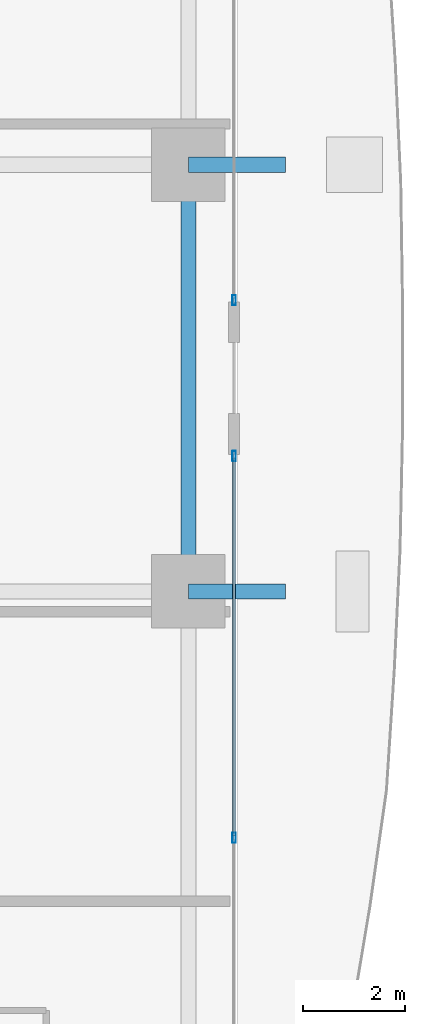
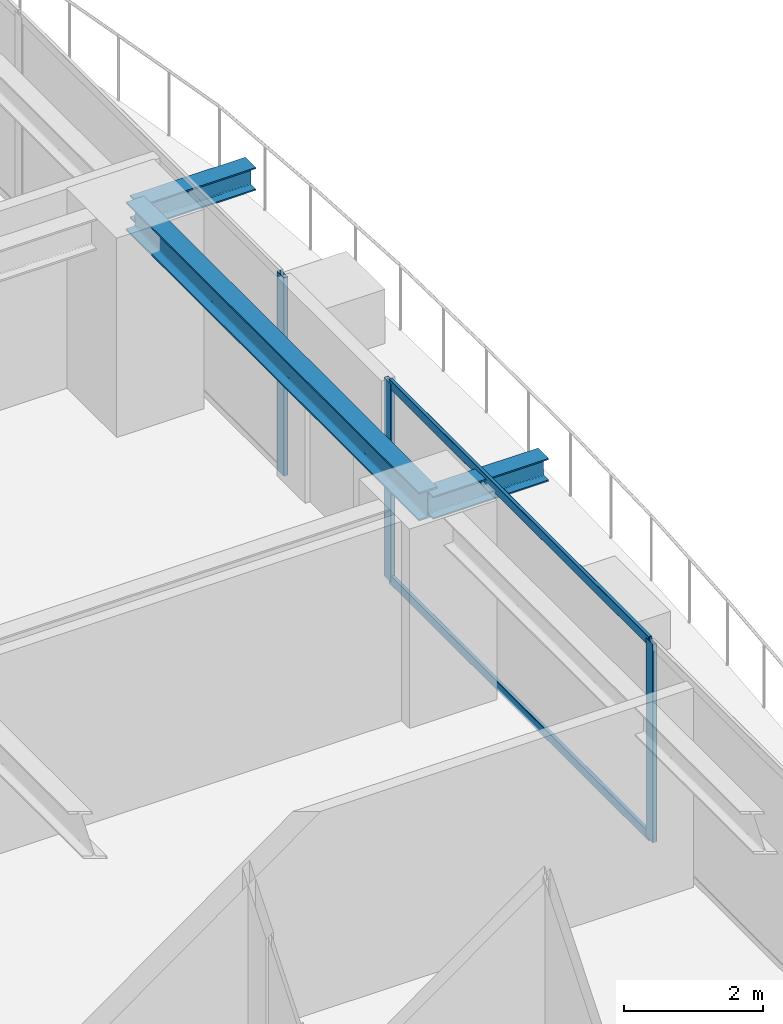
# One storey, part 14 of 38: 5 members, 3 beams, 2 elements without a shape of their own.
"""IFC4 building model written with IfcOpenShell, lengths in metres."""

from ifc_helpers import new_model, si_unit, direction, frame, origin, origin_2d, place, context, subcontext, project, spatial, hollow_rectangle, i_section, extrude, source, transform, mapped, material, layer, layer_set, material_profile, profile_set, type_object, element, aggregate, save


model = new_model("IFC4")

# Units and contexts
model_context = context("Model", 3, precision=1e-05, world=origin(), true_north=direction((0.0, 1.0)))
body_context = subcontext(model_context, "Body", "Model", "MODEL_VIEW")
ifc_project = project(units=[si_unit("LENGTHUNIT", "METRE"), si_unit("AREAUNIT", "SQUARE_METRE"), si_unit("VOLUMEUNIT", "CUBIC_METRE"), si_unit("PLANEANGLEUNIT", "RADIAN"), si_unit("MASSUNIT", "GRAM", prefix="KILO")], contexts=[model_context])

# Site, building, storey
site_placement = place(None, origin())
site = spatial("IfcSite", under=ifc_project, at=site_placement, CompositionType="ELEMENT")
building_placement = place(site_placement, origin())
building = spatial("IfcBuilding", under=site, at=building_placement, Name="Serunith Strait Residences", CompositionType="ELEMENT")
storey_placement = place(building_placement, frame((0.0, 0.0, 82.949951171875)))
storey = spatial("IfcBuildingStorey", under=building, at=storey_placement, Name="L20", CompositionType="ELEMENT", Elevation=82.949951171875)

# Beams
ifc_material_1 = material(Name="Steel S355J2", Category="steel")
ifc_material_profile_1 = material_profile(ifc_material_1, i_section(OverallWidth=0.300048828125, OverallDepth=0.5, WebThickness=0.014404296875, FlangeThickness=0.028076171875, FilletRadius=0.027099609375, at=origin_2d()), Name="HEB 500")
ifc_profile_set_1 = profile_set([ifc_material_profile_1], Name="Steel S355J2")
beam_type_1 = type_object("IfcBeamType", Name="BM-HEB500", PredefinedType="BEAM", material=ifc_profile_set_1)
shared_shape_1 = source(origin(), body_context, "Body", "SweptSolid", [
    extrude(i_section(OverallWidth=0.300048828125, OverallDepth=0.5, WebThickness=0.014404296875, FlangeThickness=0.028076171875, FilletRadius=0.027099609375, at=origin_2d()), origin(), (0.0, 0.0, 1.0), 8.39990234375),
])
beam_placement = place(storey_placement, frame((57.89990234375, 21.0, 3.237060546875), z_axis=(0.0, 1.0, 0.0), x_axis=(-1.0, 0.0, 0.0)))
element("IfcBeam", 1, at=beam_placement, inside=storey, type_object=beam_type_1, Name="L20 Perimeter Ring Beam 06", PredefinedType="BEAM", context=body_context, shape_type="MappedRepresentation", body=[
    mapped(shared_shape_1, transform((0.0, 0.0, 0.0), scale=1.0)),
])
ifc_material_profile_2 = material_profile(ifc_material_1, i_section(OverallWidth=0.300048828125, OverallDepth=0.39990234375, WebThickness=0.013427734375, FlangeThickness=0.02392578125, FilletRadius=0.027099609375, at=origin_2d()), Name="HEB 400")
ifc_profile_set_2 = profile_set([ifc_material_profile_2], Name="Steel S355J2")
beam_type_2 = type_object("IfcBeamType", Name="BM-HEB400", PredefinedType="BEAM", material=ifc_profile_set_2)
shared_shape_2 = source(origin(), body_context, "Body", "SweptSolid", [
    extrude(i_section(OverallWidth=0.300048828125, OverallDepth=0.39990234375, WebThickness=0.013427734375, FlangeThickness=0.02392578125, FilletRadius=0.027099609375, at=origin_2d()), origin(), (0.0, 0.0, 1.0), 1.91015625),
])
for number, where, z_axis, x_axis, name in (
    (2, (57.89990234375, 21.0, 3.257080078125), (1.0, 0.0, 0.0), (0.0, 1.0, 0.0), "L21 Cantilevered Balcony Rib TC-E2"),
    (3, (57.89990234375, 29.39990234375, 3.257080078125), (1.0, 0.0, 0.0), (0.0, 1.0, 0.0), "L21 Cantilevered Balcony Rib TC-E3"),
):
    element("IfcBeam", number, at=place(storey_placement, frame(where, z_axis=z_axis, x_axis=x_axis)), inside=storey, type_object=beam_type_2, Name=name, PredefinedType="BEAM", context=body_context, shape_type="MappedRepresentation", body=[
        mapped(shared_shape_2, transform((0.0, 0.0, 0.0), scale=1.0)),
    ])

# Curtain wall, members
ifc_material_2 = material(Name="Pale-Champagne Anodised Aluminium", Category="aluminium")
ifc_layer = layer(ifc_material_2, 0.199951171875, Name="Pale-Champagne Anodised Aluminium")
ifc_layer_set = layer_set([ifc_layer], Name="Pale-Champagne Anodised Aluminium")
curtain_wall_type = type_object("IfcCurtainWallType", Name="CW-SYS1", PredefinedType="NOTDEFINED", material=ifc_layer_set)
curtain_wall_1_placement = place(storey_placement, origin())
curtain_wall_1 = element("IfcCurtainWall", 4, at=curtain_wall_1_placement, inside=storey, type_object=curtain_wall_type, Name="L20 E Unitised Fritted Curtain Wall", PredefinedType="NOTDEFINED")
ifc_material_profile_3 = material_profile(ifc_material_2, hollow_rectangle(XDim=0.070068359375, YDim=0.199951171875, WallThickness=0.00390625, InnerFilletRadius=0.006103515625, OuterFilletRadius=0.010009765625, at=origin_2d()), Name="ALU 200x70x4")
ifc_profile_set_3 = profile_set([ifc_material_profile_3], Name="Pale-Champagne Anodised Aluminium")
member_type_1 = type_object("IfcMemberType", Name="CW-SYS1-MULL", PredefinedType="MULLION", material=ifc_profile_set_3)
shared_shape_3 = source(origin(), body_context, "Body", "SweptSolid", [
    extrude(hollow_rectangle(XDim=0.070068359375, YDim=0.199951171875, WallThickness=0.00390625, InnerFilletRadius=0.006103515625, OuterFilletRadius=0.010009765625, at=origin_2d()), origin(), (0.0, 0.0, 1.0), 3.47509765625),
])
member_1_placement = place(storey_placement, frame((58.800048828125, 16.14990234375, 0.0), z_axis=(0.0, 0.0, 1.0), x_axis=(-1.0, 0.0, 0.0)))
member_1 = element("IfcMember", 5, at=member_1_placement, type_object=member_type_1, Name="CW-1 mullion 2", PredefinedType="MULLION", context=body_context, shape_type="MappedRepresentation", body=[
    mapped(shared_shape_3, transform((0.0, 0.0, 0.0), scale=1.0)),
])
member_2_placement = place(storey_placement, frame((58.800048828125, 23.6650390625, 0.0), z_axis=(0.0, 0.0, 1.0), x_axis=(-1.0, 0.0, 0.0)))
member_2 = element("IfcMember", 6, at=member_2_placement, type_object=member_type_1, Name="CW-1 mullion 3", PredefinedType="MULLION", context=body_context, shape_type="MappedRepresentation", body=[
    mapped(shared_shape_3, transform((0.0, 0.0, 0.0), scale=1.0)),
])

# Curtain wall, member
curtain_wall_2_placement = place(storey_placement, origin())
curtain_wall_2 = element("IfcCurtainWall", 7, at=curtain_wall_2_placement, inside=storey, type_object=curtain_wall_type, Name="L20 E Unitised Fritted Curtain Wall", PredefinedType="NOTDEFINED")
member_3_placement = place(storey_placement, frame((58.800048828125, 26.735107421875, 0.0), z_axis=(0.0, 0.0, 1.0), x_axis=(-1.0, 0.0, 0.0)))
member_3 = element("IfcMember", 8, at=member_3_placement, type_object=member_type_1, Name="CW-1 mullion 1", PredefinedType="MULLION", context=body_context, shape_type="MappedRepresentation", body=[
    mapped(shared_shape_3, transform((0.0, 0.0, 0.0), scale=1.0)),
])
aggregate(curtain_wall_2, [member_3])

# Member
ifc_material_profile_4 = material_profile(ifc_material_2, hollow_rectangle(XDim=0.06005859375, YDim=0.159912109375, WallThickness=0.00341796875, InnerFilletRadius=0.00537109375, OuterFilletRadius=0.0087890625, at=origin_2d()), Name="ALU 160x60x3.5")
ifc_profile_set_4 = profile_set([ifc_material_profile_4], Name="Pale-Champagne Anodised Aluminium")
member_type_2 = type_object("IfcMemberType", Name="CW-SYS1-TRAN", PredefinedType="USERDEFINED", material=ifc_profile_set_4)
shared_shape_4 = source(origin(), body_context, "Body", "SweptSolid", [
    extrude(hollow_rectangle(XDim=0.06005859375, YDim=0.159912109375, WallThickness=0.00341796875, InnerFilletRadius=0.00537109375, OuterFilletRadius=0.0087890625, at=origin_2d()), origin(), (0.0, 0.0, 1.0), 7.44482421875),
])
member_4_placement = place(storey_placement, frame((58.800048828125, 16.18505859375, 0.030029296875), z_axis=(0.0, 1.0, 0.0), x_axis=(-1.0, 0.0, 0.0)))
member_4 = element("IfcMember", 9, at=member_4_placement, type_object=member_type_2, Name="CW-1 transom 2.1", ObjectType="TRANSOM", PredefinedType="USERDEFINED", context=body_context, shape_type="MappedRepresentation", body=[
    mapped(shared_shape_4, transform((0.0, 0.0, 0.0), scale=1.0)),
])

member_5_placement = place(storey_placement, frame((58.800048828125, 16.18505859375, 3.445068359375), z_axis=(0.0, 1.0, 0.0), x_axis=(-1.0, 0.0, 0.0)))
member_5 = element("IfcMember", 10, at=member_5_placement, type_object=member_type_2, Name="CW-1 transom 2.2", ObjectType="TRANSOM", PredefinedType="USERDEFINED", context=body_context, shape_type="MappedRepresentation", body=[
    mapped(shared_shape_4, transform((0.0, 0.0, 0.0), scale=1.0)),
])

aggregate(curtain_wall_1, [member_1, member_2, member_4, member_5])

save(model, "model.ifc")
